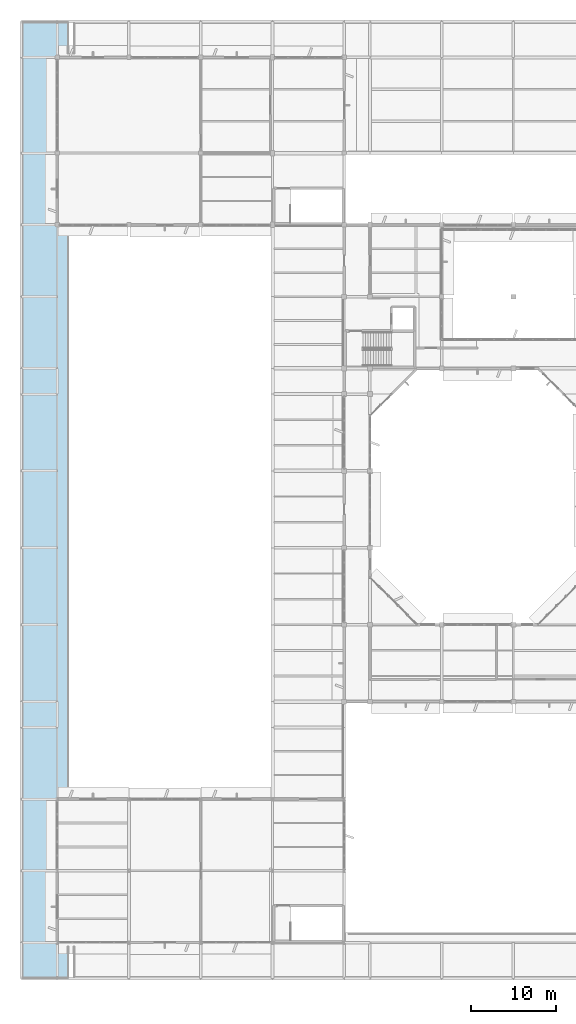
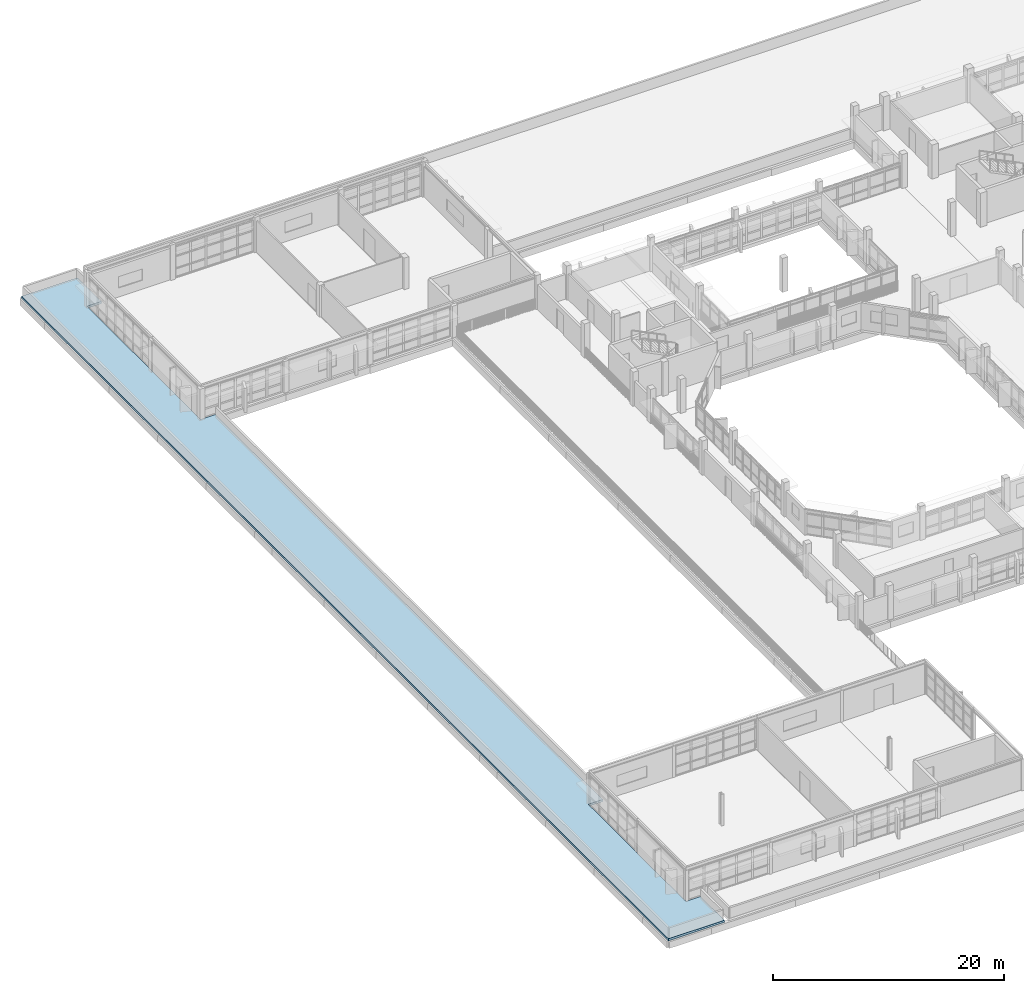
# One storey, part 45 of 92: 1 slab.
"""IFC4 building model written with IfcOpenShell, lengths in metres."""

from ifc_helpers import new_model, si_unit, direction, frame, origin, place, context, subcontext, project, spatial, polyline, outline, extrude, material, layer, layer_set, type_object, element, save


model = new_model("IFC4")

# Units and contexts
model_context = context("Model", 3, precision=1e-05, world=origin(), true_north=direction((0.0, 1.0)))
body_context = subcontext(model_context, "Body", "Model", "MODEL_VIEW")
ifc_project = project(units=[si_unit("LENGTHUNIT", "METRE"), si_unit("AREAUNIT", "SQUARE_METRE"), si_unit("VOLUMEUNIT", "CUBIC_METRE"), si_unit("PLANEANGLEUNIT", "RADIAN"), si_unit("MASSUNIT", "GRAM", prefix="KILO")], contexts=[model_context])

# Site, building, storey
site_placement = place(None, origin())
site = spatial("IfcSite", under=ifc_project, at=site_placement, CompositionType="ELEMENT")
building_placement = place(site_placement, origin())
building = spatial("IfcBuilding", under=site, at=building_placement, Name="Vanh Quang Courtyard School", CompositionType="ELEMENT")
storey_placement = place(building_placement, frame((0.0, 0.0, 7.800048828125)))
storey = spatial("IfcBuildingStorey", under=building, at=storey_placement, Name="L02", CompositionType="ELEMENT", Elevation=7.800048828125)

# Slab
ifc_material = material(Name="Concrete C35/45", Category="concrete")
ifc_layer = layer(ifc_material, 0.219970703125)
ifc_layer_set = layer_set([ifc_layer], Name="Concrete C35/45")
slab_type = type_object("IfcSlabType", Name="SLB-ROOF-220", PredefinedType="ROOF", material=ifc_layer_set)
slab_placement = place(storey_placement, frame((0.0, 0.0, -0.219970703125)))
element("IfcSlab", 1, at=slab_placement, inside=storey, type_object=slab_type, Name="Slab SR-01 (L02)", PredefinedType="ROOF", context=body_context, shape_type="SweptSolid", body=[
    extrude(outline(polyline([(0.0, 0.0), (5.60009765625, 0.0), (5.60009765625, 4.14990234375), (4.199951171875, 4.14990234375), (4.180908203125, 4.15380859375), (4.16455078125, 4.16455078125), (4.15380859375, 4.180908203125), (4.14990234375, 4.199951171875), (4.150146484375, 21.0048828125), (4.156005859375, 21.023681640625), (4.168212890625, 21.038818359375), (4.185546875, 21.0478515625), (4.199951171875, 21.050048828125), (5.60009765625, 21.050048828125), (5.60009765625, 88.14990234375), (4.199951171875, 88.14990234375), (4.180908203125, 88.15380859375), (4.168212890625, 88.161376953125), (4.156005859375, 88.176513671875), (4.150146484375, 88.195068359375), (4.14990234375, 107.800048828125), (4.15380859375, 107.819091796875), (4.16455078125, 107.83544921875), (4.180908203125, 107.84619140625), (4.199951171875, 107.85009765625), (5.60009765625, 107.85009765625), (5.60009765625, 112.0), (0.0, 112.0), (0.0, 0.0)])), origin(), (0.0, 0.0, 1.0), 0.219970703125),
])

save(model, "model.ifc")
